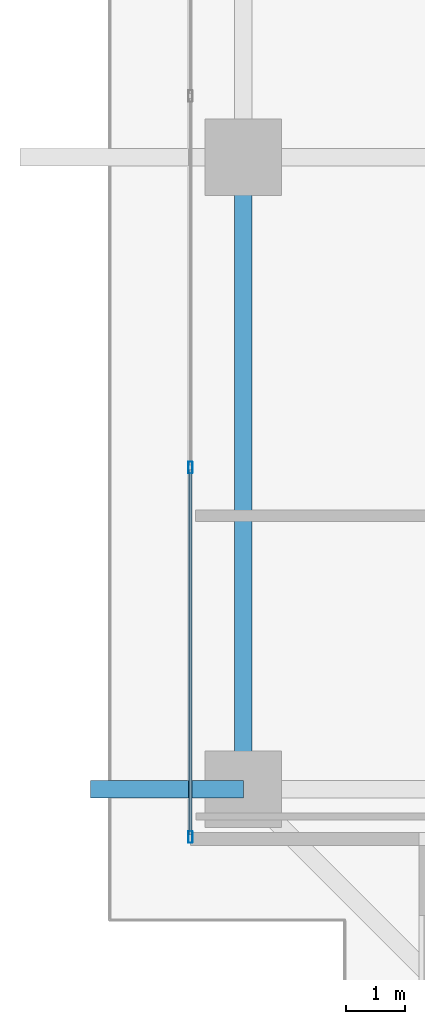
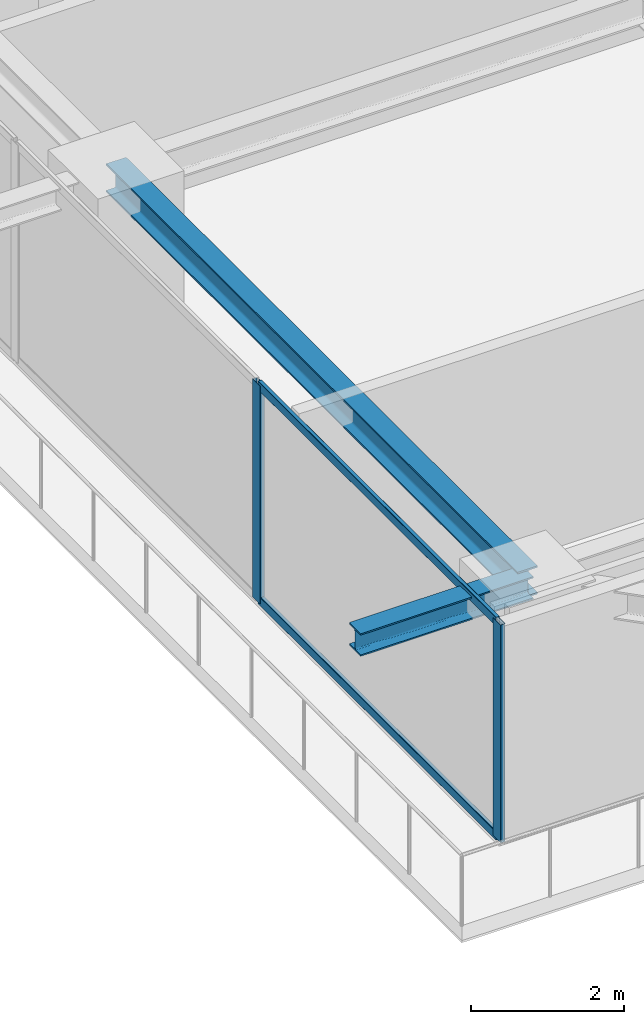
# One storey, part 3 of 34: 4 members, 2 beams, 1 element without a shape of its own.
"""IFC4 building model written with IfcOpenShell, lengths in metres."""

from ifc_helpers import new_model, si_unit, direction, frame, origin, origin_2d, place, context, subcontext, project, spatial, hollow_rectangle, i_section, extrude, source, transform, mapped, material, layer, layer_set, material_profile, profile_set, type_object, element, aggregate, save


model = new_model("IFC4")

# Units and contexts
model_context = context("Model", 3, precision=1e-05, world=origin(), true_north=direction((0.0, 1.0)))
body_context = subcontext(model_context, "Body", "Model", "MODEL_VIEW")
ifc_project = project(units=[si_unit("LENGTHUNIT", "METRE"), si_unit("AREAUNIT", "SQUARE_METRE"), si_unit("VOLUMEUNIT", "CUBIC_METRE"), si_unit("PLANEANGLEUNIT", "RADIAN"), si_unit("MASSUNIT", "GRAM", prefix="KILO")], contexts=[model_context])

# Site, building, storey
site_placement = place(None, origin())
site = spatial("IfcSite", under=ifc_project, at=site_placement, CompositionType="ELEMENT")
building_placement = place(site_placement, origin())
building = spatial("IfcBuilding", under=site, at=building_placement, Name="Serunith Strait Residences", CompositionType="ELEMENT")
storey_placement = place(building_placement, frame((0.0, 0.0, 180.14990234375)))
storey = spatial("IfcBuildingStorey", under=building, at=storey_placement, Name="L45", CompositionType="ELEMENT", Elevation=180.14990234375)

# Beams
ifc_material_1 = material(Name="Steel S355J2", Category="steel")
ifc_material_profile_1 = material_profile(ifc_material_1, i_section(OverallWidth=0.300048828125, OverallDepth=0.449951171875, WebThickness=0.013916015625, FlangeThickness=0.02587890625, FilletRadius=0.027099609375, at=origin_2d()), Name="HEB 450")
ifc_profile_set_1 = profile_set([ifc_material_profile_1], Name="Steel S355J2")
beam_type_1 = type_object("IfcBeamType", Name="BM-HEB450", PredefinedType="BEAM", material=ifc_profile_set_1)
shared_shape_1 = source(origin(), body_context, "Body", "SweptSolid", [
    extrude(i_section(OverallWidth=0.300048828125, OverallDepth=0.449951171875, WebThickness=0.013916015625, FlangeThickness=0.02587890625, FilletRadius=0.027099609375, at=origin_2d()), origin(), (0.0, 0.0, 1.0), 10.75),
])
beam_1_placement = place(storey_placement, frame((8.699951171875, 21.0, 3.26220703125), z_axis=(0.0, -1.0, 0.0), x_axis=(1.0, 0.0, 0.0)))
element("IfcBeam", 1, at=beam_1_placement, inside=storey, type_object=beam_type_1, Name="L45 Perimeter Ring Beam 15", PredefinedType="BEAM", context=body_context, shape_type="MappedRepresentation", body=[
    mapped(shared_shape_1, transform((0.0, 0.0, 0.0), scale=1.0)),
])
ifc_material_profile_2 = material_profile(ifc_material_1, i_section(OverallWidth=0.300048828125, OverallDepth=0.360107421875, WebThickness=0.012451171875, FlangeThickness=0.0224609375, FilletRadius=0.027099609375, at=origin_2d()), Name="HEB 360")
ifc_profile_set_2 = profile_set([ifc_material_profile_2], Name="Steel S355J2")
beam_type_2 = type_object("IfcBeamType", Name="BM-HEB360", PredefinedType="BEAM", material=ifc_profile_set_2)
shared_shape_2 = source(origin(), body_context, "Body", "SweptSolid", [
    extrude(i_section(OverallWidth=0.300048828125, OverallDepth=0.360107421875, WebThickness=0.012451171875, FlangeThickness=0.0224609375, FilletRadius=0.027099609375, at=origin_2d()), origin(), (0.0, 0.0, 1.0), 2.603515625),
])
beam_2_placement = place(storey_placement, frame((8.699951171875, 10.25, 3.277099609375), z_axis=(-1.0, 0.0, 0.0), x_axis=(0.0, -1.0, 0.0)))
element("IfcBeam", 2, at=beam_2_placement, inside=storey, type_object=beam_type_2, Name="L46 Cantilevered Balcony Rib TC-W1", PredefinedType="BEAM", context=body_context, shape_type="MappedRepresentation", body=[
    mapped(shared_shape_2, transform((0.0, 0.0, 0.0), scale=1.0)),
])

# Curtain wall, members
ifc_material_2 = material(Name="Pale-Champagne Anodised Aluminium", Category="aluminium")
ifc_layer = layer(ifc_material_2, 0.199951171875, Name="Pale-Champagne Anodised Aluminium")
ifc_layer_set = layer_set([ifc_layer], Name="Pale-Champagne Anodised Aluminium")
curtain_wall_type = type_object("IfcCurtainWallType", Name="CW-SYS2", PredefinedType="NOTDEFINED", material=ifc_layer_set)
curtain_wall_placement = place(storey_placement, origin())
curtain_wall = element("IfcCurtainWall", 3, at=curtain_wall_placement, inside=storey, type_object=curtain_wall_type, Name="L45 W Unitised Fritted Curtain Wall", PredefinedType="NOTDEFINED")
ifc_material_profile_3 = material_profile(ifc_material_2, hollow_rectangle(XDim=0.070068359375, YDim=0.199951171875, WallThickness=0.00390625, InnerFilletRadius=0.006103515625, OuterFilletRadius=0.010009765625, at=origin_2d()), Name="ALU 200x70x4")
ifc_profile_set_3 = profile_set([ifc_material_profile_3], Name="Pale-Champagne Anodised Aluminium")
member_type_1 = type_object("IfcMemberType", Name="CW-SYS2-MULL", PredefinedType="MULLION", material=ifc_profile_set_3)
shared_shape_3 = source(origin(), body_context, "Body", "SweptSolid", [
    extrude(hollow_rectangle(XDim=0.070068359375, YDim=0.199951171875, WallThickness=0.00390625, InnerFilletRadius=0.006103515625, OuterFilletRadius=0.010009765625, at=origin_2d()), origin(), (0.0, 0.0, 1.0), 3.47509765625),
])
member_1_placement = place(storey_placement, frame((7.800048828125, 15.719970703125, 0.0), z_axis=(0.0, 0.0, 1.0), x_axis=(1.0, 0.0, 0.0)))
member_1 = element("IfcMember", 4, at=member_1_placement, type_object=member_type_1, Name="CW-2 mullion 5", PredefinedType="MULLION", context=body_context, shape_type="MappedRepresentation", body=[
    mapped(shared_shape_3, transform((0.0, 0.0, 0.0), scale=1.0)),
])
member_2_placement = place(storey_placement, frame((7.800048828125, 9.43505859375, 0.0), z_axis=(0.0, 0.0, 1.0), x_axis=(1.0, 0.0, 0.0)))
member_2 = element("IfcMember", 5, at=member_2_placement, type_object=member_type_1, Name="CW-2 mullion 6", PredefinedType="MULLION", context=body_context, shape_type="MappedRepresentation", body=[
    mapped(shared_shape_3, transform((0.0, 0.0, 0.0), scale=1.0)),
])
ifc_material_profile_4 = material_profile(ifc_material_2, hollow_rectangle(XDim=0.06005859375, YDim=0.139892578125, WallThickness=0.00341796875, InnerFilletRadius=0.00537109375, OuterFilletRadius=0.0087890625, at=origin_2d()), Name="ALU 140x60x3.5")
ifc_profile_set_4 = profile_set([ifc_material_profile_4], Name="Pale-Champagne Anodised Aluminium")
member_type_2 = type_object("IfcMemberType", Name="CW-SYS2-TRAN", PredefinedType="USERDEFINED", material=ifc_profile_set_4)
shared_shape_4 = source(origin(), body_context, "Body", "SweptSolid", [
    extrude(hollow_rectangle(XDim=0.06005859375, YDim=0.139892578125, WallThickness=0.00341796875, InnerFilletRadius=0.00537109375, OuterFilletRadius=0.0087890625, at=origin_2d()), origin(), (0.0, 0.0, 1.0), 6.215087890625),
])
member_3_placement = place(storey_placement, frame((7.800048828125, 15.68505859375, 0.030029296875), z_axis=(0.0, -1.0, 0.0), x_axis=(1.0, 0.0, 0.0)))
member_3 = element("IfcMember", 6, at=member_3_placement, type_object=member_type_2, Name="CW-2 transom 5.1", ObjectType="TRANSOM", PredefinedType="USERDEFINED", context=body_context, shape_type="MappedRepresentation", body=[
    mapped(shared_shape_4, transform((0.0, 0.0, 0.0), scale=1.0)),
])
member_4_placement = place(storey_placement, frame((7.800048828125, 15.68505859375, 3.445068359375), z_axis=(0.0, -1.0, 0.0), x_axis=(1.0, 0.0, 0.0)))
member_4 = element("IfcMember", 7, at=member_4_placement, type_object=member_type_2, Name="CW-2 transom 5.2", ObjectType="TRANSOM", PredefinedType="USERDEFINED", context=body_context, shape_type="MappedRepresentation", body=[
    mapped(shared_shape_4, transform((0.0, 0.0, 0.0), scale=1.0)),
])
aggregate(curtain_wall, [member_1, member_2, member_3, member_4])

save(model, "model.ifc")
